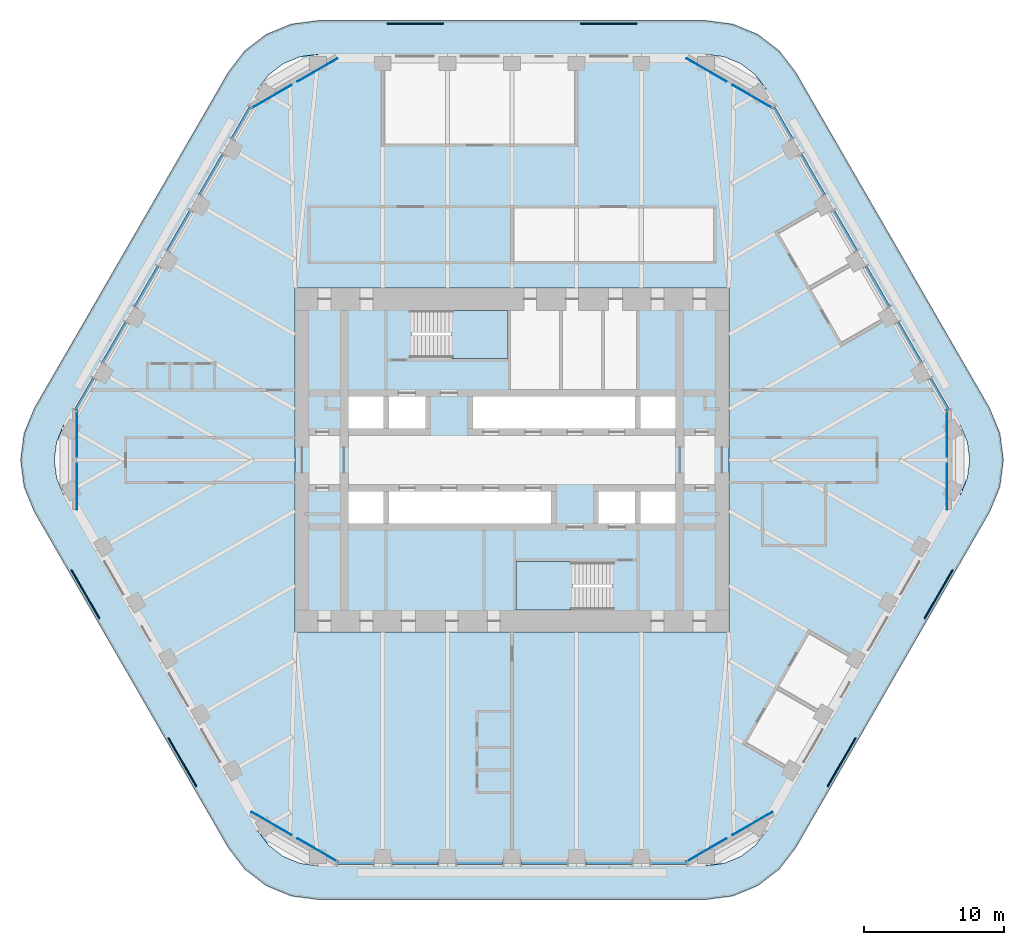
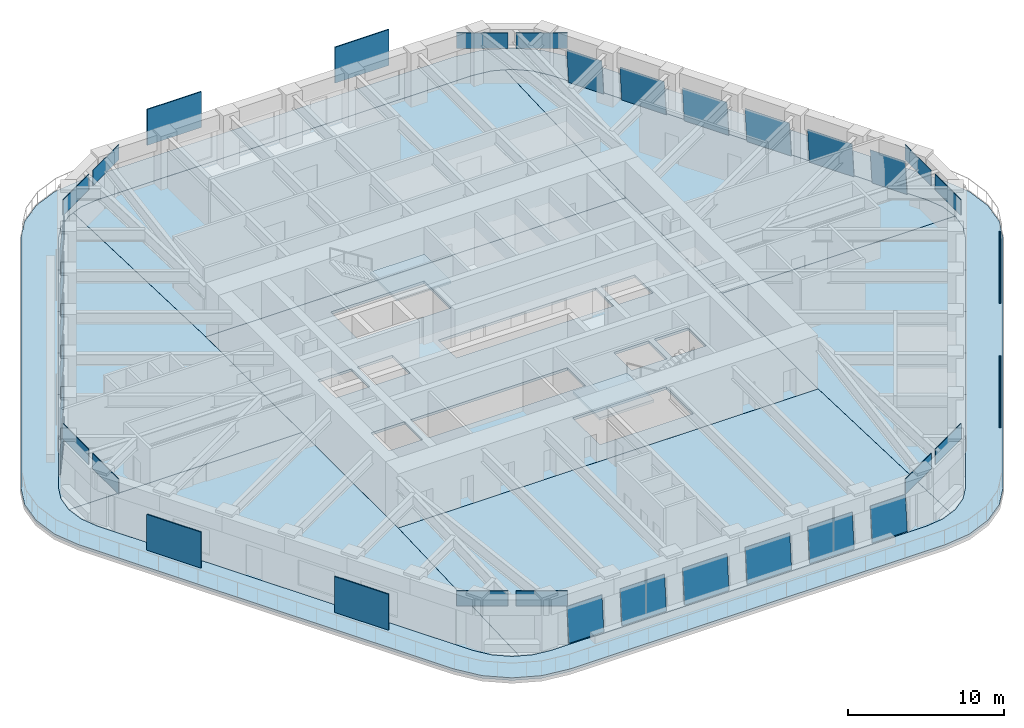
# One storey, part 13 of 20: 36 plates, 10 slabs, 20 elements without a shape of their own.
"""IFC4 building model written with IfcOpenShell, lengths in metres."""

import ifcopenshell
import ifcopenshell.guid

model = None  # the IFC model being written
_history = None  # IfcOwnerHistory: only IFC2X3 demands one
_inside = {}  # id of a spatial element -> (the spatial element, [elements in it])
_under = {}  # id of a project, library or spatial element -> (it, [spatial elements below it])
_declared = {}  # id of a project -> (the project, [libraries it declares])
_typed = {}  # id of a type object -> (the type object, [elements of that type])
_made_of = {}  # id of a material, layer set ... -> (it, [elements and type objects made of it])


def new_model(schema):
    """Start an empty IFC model of exactly this schema.

    Asked for "IFC4X3", IfcOpenShell would pick the latest addendum, in which some entities
    have other attributes; the version numbers below select the first issue.
    IFC2X3 requires an IfcOwnerHistory on every rooted entity: one is made here for all.
    """
    global model, _history
    if schema == "IFC4X3":
        model = ifcopenshell.file(schema_version=(4, 3, 0, 0))
    else:
        model = ifcopenshell.file(schema=schema)
    _inside.clear()
    _under.clear()
    _declared.clear()
    _typed.clear()
    _made_of.clear()
    _history = None
    if model.schema == "IFC2X3":
        org = make("IfcOrganization", Name="unknown")
        user = make(
            "IfcPersonAndOrganization",
            ThePerson=make("IfcPerson", FamilyName="unknown"),
            TheOrganization=org,
        )
        app = make(
            "IfcApplication",
            ApplicationDeveloper=org,
            Version="unknown",
            ApplicationFullName="unknown",
            ApplicationIdentifier="unknown",
        )
        _history = make(
            "IfcOwnerHistory",
            OwningUser=user,
            OwningApplication=app,
            ChangeAction="ADDED",
            CreationDate=0,
        )
    return model


def make(cls, **values):
    """One entity of the class cls with the attributes given. An attribute that is None is left unset."""
    return model.create_entity(
        cls, **{name: value for name, value in values.items() if value is not None}
    )


def rooted(cls, **values):
    """An entity with a GlobalId (a new one), such as an element, a storey or a relation."""
    return make(cls, GlobalId=ifcopenshell.guid.new(), OwnerHistory=_history, **values)


def si_unit(unit_type, name, prefix=None):
    """IfcSIUnit, for example si_unit("LENGTHUNIT", "METRE", prefix="MILLI")."""
    return make("IfcSIUnit", UnitType=unit_type, Prefix=prefix, Name=name)


def assignment(units):
    """IfcUnitAssignment: the units of a project."""
    return None if units is None else make("IfcUnitAssignment", Units=units)


def point(xyz):
    """IfcCartesianPoint."""
    return None if xyz is None else make("IfcCartesianPoint", Coordinates=xyz)


def direction(xyz):
    """IfcDirection."""
    return None if xyz is None else make("IfcDirection", DirectionRatios=xyz)


def frame(location, z_axis=None, x_axis=None):
    """IfcAxis2Placement3D, a coordinate frame: its origin and axes. An axis left out is left unset."""
    return make(
        "IfcAxis2Placement3D",
        Location=point(location),
        Axis=direction(z_axis),
        RefDirection=direction(x_axis),
    )


def frame_2d(location, x_axis=None):
    """IfcAxis2Placement2D, a coordinate frame in the plane: its origin and x axis."""
    return make(
        "IfcAxis2Placement2D", Location=point(location), RefDirection=direction(x_axis)
    )


def origin():
    """The frame at (0, 0, 0) with its axes left unset."""
    return frame((0.0, 0.0, 0.0))


def origin_2d():
    """The frame at (0, 0) in the plane with its x axis left unset."""
    return frame_2d((0.0, 0.0))


def place(relative_to, where):
    """IfcLocalPlacement: puts the frame where relative to a parent placement (None: the world)."""
    return make(
        "IfcLocalPlacement", PlacementRelTo=relative_to, RelativePlacement=where
    )


def context(
    kind, dimensions, precision=None, world=None, true_north=None, identifier=None
):
    """IfcGeometricRepresentationContext, for example the 3D "Model" context."""
    return make(
        "IfcGeometricRepresentationContext",
        ContextIdentifier=identifier,
        ContextType=kind,
        CoordinateSpaceDimension=dimensions,
        Precision=precision,
        WorldCoordinateSystem=world,
        TrueNorth=true_north,
    )


def subcontext(parent, identifier, kind, view, scale=None):
    """IfcGeometricRepresentationSubContext, for example "Body" below "Model"."""
    return make(
        "IfcGeometricRepresentationSubContext",
        ContextIdentifier=identifier,
        ContextType=kind,
        ParentContext=parent,
        TargetScale=scale,
        TargetView=view,
    )


def project(units=None, contexts=None):
    """IfcProject with its units and contexts."""
    return rooted(
        "IfcProject",
        Name="project",
        RepresentationContexts=contexts,
        UnitsInContext=assignment(units),
    )


def spatial(cls, under=None, at=None, **own):
    """A site, building, storey or space (cls), placed at a placement, below another one or the project."""
    s = rooted(cls, ObjectPlacement=at, **own)
    if under is not None:
        _under.setdefault(under.id(), (under, []))[1].append(s)
    return s


def polyline(points):
    """IfcPolyline through the points."""
    return make("IfcPolyline", Points=[point(p) for p in points])


def profile(cls, at=None, kind="AREA", **sizes):
    """A parametric profile (cls). Its sizes go by their IFC names, for example OverallWidth=200.0."""
    return make(cls, ProfileType=kind, Position=at, **sizes)


def rectangle(**sizes):
    """IfcRectangleProfileDef."""
    return profile("IfcRectangleProfileDef", **sizes)


def outline(outer, holes=None, kind="AREA"):
    """IfcArbitraryClosedProfileDef: a profile drawn as a closed curve; with holes, ...WithVoids."""
    if holes is None:
        return make("IfcArbitraryClosedProfileDef", ProfileType=kind, OuterCurve=outer)
    return make(
        "IfcArbitraryProfileDefWithVoids",
        ProfileType=kind,
        OuterCurve=outer,
        InnerCurves=holes,
    )


def extrude(swept, where, along, depth):
    """IfcExtrudedAreaSolid: the profile swept, set in the frame where, extruded along a direction by depth."""
    return make(
        "IfcExtrudedAreaSolid",
        SweptArea=swept,
        Position=where,
        ExtrudedDirection=direction(along),
        Depth=depth,
    )


def shape(context_of_items, identifier, shape_type, items):
    """IfcShapeRepresentation: the items that make up one representation, for example the "Body"."""
    return make(
        "IfcShapeRepresentation",
        ContextOfItems=context_of_items,
        RepresentationIdentifier=identifier,
        RepresentationType=shape_type,
        Items=items,
    )


def material(Name=None, Category=None):
    """IfcMaterial."""
    return make("IfcMaterial", Name=Name, Category=Category)


def layer(
    of_material, thickness, ventilated=None, Name=None, Category=None, Priority=None
):
    """IfcMaterialLayer: one layer of a wall or slab, of a material (None: an air gap)."""
    return make(
        "IfcMaterialLayer",
        Material=of_material,
        LayerThickness=thickness,
        IsVentilated=ventilated,
        Name=Name,
        Category=Category,
        Priority=Priority,
    )


def layer_set(layers, Name=None):
    """IfcMaterialLayerSet."""
    return make("IfcMaterialLayerSet", MaterialLayers=layers, LayerSetName=Name)


def made_of(thing, what):
    """Note that an element or type object is made of a material, layer set ...; save() writes the relation."""
    if what is not None:
        _made_of.setdefault(what.id(), (what, []))[1].append(thing)
    return thing


def type_object(cls, material=None, **own):
    """A type object (cls), such as IfcWallType, which elements share."""
    return made_of(rooted(cls, **own), material)


def element(
    cls,
    number,
    at=None,
    inside=None,
    cuts=None,
    type_object=None,
    material=None,
    context=None,
    identifier="Body",
    shape_type=None,
    held_by="IfcProductDefinitionShape",
    body=None,
    shapes=None,
    **own,
):
    """One element of the class cls, such as IfcWall. Its Tag is "e" and its number.

    at: its placement. inside: the storey or other place that contains it. cuts: it is an
    opening in that element (IfcRelVoidsElement). A single representation is given by context,
    identifier, shape_type and body (its items); several are given by shapes. held_by: the class
    of the entity that holds the representations. save() writes the other relations.
    """
    e = rooted(cls, Tag="e%d" % number, ObjectPlacement=at, **own)
    if body is not None:
        shapes = [shape(context, identifier, shape_type, body)]
    if shapes is not None:
        e.Representation = make(held_by, Representations=shapes)
    if inside is not None:
        _inside.setdefault(inside.id(), (inside, []))[1].append(e)
    if cuts is not None:
        rooted(
            "IfcRelVoidsElement", RelatingBuildingElement=cuts, RelatedOpeningElement=e
        )
    if type_object is not None:
        _typed.setdefault(type_object.id(), (type_object, []))[1].append(e)
    return made_of(e, material)


def aggregate(whole, parts):
    """IfcRelAggregates: a whole, such as a stair, and the parts it consists of."""
    return rooted("IfcRelAggregates", RelatingObject=whole, RelatedObjects=parts)


def save(model, path):
    """Write the relations noted so far, then the file.

    IfcRelAggregates (storeys below a building ...), IfcRelContainedInSpatialStructure (elements
    in a storey), IfcRelDefinesByType, IfcRelAssociatesMaterial and IfcRelDeclares: one each for
    every whole, place, type object, material and project.
    """
    for whole, parts in _under.values():
        aggregate(whole, parts)
    for where, things in _inside.values():
        rooted(
            "IfcRelContainedInSpatialStructure",
            RelatedElements=things,
            RelatingStructure=where,
        )
    for kind, things in _typed.values():
        rooted("IfcRelDefinesByType", RelatedObjects=things, RelatingType=kind)
    for what, things in _made_of.values():
        rooted("IfcRelAssociatesMaterial", RelatedObjects=things, RelatingMaterial=what)
    for by, libraries in _declared.values():
        rooted("IfcRelDeclares", RelatingContext=by, RelatedDefinitions=libraries)
    model.write(path)


model = new_model("IFC4")

# Units and contexts
model_context = context("Model", 3, precision=1e-05, world=origin(), true_north=direction((0.0, 1.0)))
body_context = subcontext(model_context, "Body", "Model", "MODEL_VIEW")
ifc_project = project(units=[si_unit("LENGTHUNIT", "METRE"), si_unit("AREAUNIT", "SQUARE_METRE"), si_unit("VOLUMEUNIT", "CUBIC_METRE"), si_unit("PLANEANGLEUNIT", "RADIAN"), si_unit("MASSUNIT", "GRAM", prefix="KILO")], contexts=[model_context])

# Site, building, storey
site_placement = place(None, origin())
site = spatial("IfcSite", under=ifc_project, at=site_placement, CompositionType="ELEMENT")
building_placement = place(site_placement, origin())
building = spatial("IfcBuilding", under=site, at=building_placement, Name="Tarfa Lantern Tower", CompositionType="ELEMENT")
storey_placement = place(building_placement, frame((0.0, 0.0, 270.10009765625)))
storey = spatial("IfcBuildingStorey", under=building, at=storey_placement, Name="L61", CompositionType="ELEMENT", Elevation=270.10009765625)

# Slab
ifc_material_1 = material(Name="Concrete C40/50", Category="concrete")
ifc_layer_1 = layer(ifc_material_1, 0.199951171875)
ifc_layer_set_1 = layer_set([ifc_layer_1], Name="BS2 BALCONY SLAB 200")
slab_type_1 = type_object("IfcSlabType", Name="BS2 BALCONY SLAB 200", PredefinedType="FLOOR", material=ifc_layer_set_1)
slab_1_placement = place(storey_placement, frame((0.0, 0.0, -0.2001953125)))
element("IfcSlab", 1, at=slab_1_placement, inside=storey, type_object=slab_type_1, Name="Balcony L61", PredefinedType="FLOOR", context=body_context, shape_type="SweptSolid", body=[
    extrude(outline(polyline([(34.121337890625, 3.699951171875), (20.264892578125, 27.699951171875), (19.089111328125, 29.232666015625), (17.556396484375, 30.40869140625), (15.771728515625, 31.14794921875), (13.8564453125, 31.39990234375), (-13.8564453125, 31.39990234375), (-15.771728515625, 31.14794921875), (-17.556396484375, 30.40869140625), (-19.089111328125, 29.232666015625), (-20.264892578125, 27.699951171875), (-34.121337890625, 3.699951171875), (-34.860595703125, 1.915283203125), (-35.11279296875, 0.0), (-34.860595703125, -1.915283203125), (-34.121337890625, -3.699951171875), (-20.264892578125, -27.699951171875), (-19.089111328125, -29.232666015625), (-17.556396484375, -30.40869140625), (-15.771728515625, -31.14794921875), (-13.8564453125, -31.39990234375), (13.8564453125, -31.39990234375), (15.771728515625, -31.14794921875), (17.556396484375, -30.40869140625), (19.089111328125, -29.232666015625), (20.264892578125, -27.699951171875), (34.121337890625, -3.699951171875), (34.860595703125, -1.915283203125), (35.11279296875, 0.0), (34.860595703125, 1.915283203125), (34.121337890625, 3.699951171875)]), holes=[polyline([(32.04296875, 2.5), (18.1865234375, 26.5), (17.391845703125, 27.53564453125), (16.3564453125, 28.330078125), (15.150390625, 28.82958984375), (13.8564453125, 29.0), (-13.8564453125, 29.0), (-15.150390625, 28.82958984375), (-16.3564453125, 28.330078125), (-17.391845703125, 27.53564453125), (-18.1865234375, 26.5), (-32.04296875, 2.5), (-32.54248046875, 1.294189453125), (-32.712890625, 0.0), (-32.54248046875, -1.294189453125), (-32.04296875, -2.5), (-18.1865234375, -26.5), (-17.391845703125, -27.53564453125), (-16.3564453125, -28.330078125), (-15.150390625, -28.82958984375), (-13.8564453125, -29.0), (13.8564453125, -29.0), (15.150390625, -28.82958984375), (16.3564453125, -28.330078125), (17.391845703125, -27.53564453125), (18.1865234375, -26.5), (32.04296875, -2.5), (32.54248046875, -1.294189453125), (32.712890625, 0.0), (32.54248046875, 1.294189453125), (32.04296875, 2.5)])]), origin(), (0.0, 0.0, 1.0), 0.2001953125),
])

# Curtain wall, plate
ifc_material_2 = material(Name="Aluminium framed curtain wall", Category="aluminium")
curtain_wall_type = type_object("IfcCurtainWallType", Name="CW3 CANTED GLAZING HIGH ZONE 2800", PredefinedType="USERDEFINED", material=ifc_material_2)
curtain_wall_1_placement = place(storey_placement, origin())
curtain_wall_1 = element("IfcCurtainWall", 2, at=curtain_wall_1_placement, inside=storey, type_object=curtain_wall_type, Name="CW3 NE L61", ObjectType="CURTAIN WALL", PredefinedType="USERDEFINED")
ifc_material_3 = material(Name="Laminated double glazing", Category="glass")
ifc_layer_2 = layer(ifc_material_3, 0.028076171875)
ifc_layer_set_2 = layer_set([ifc_layer_2], Name="CWP1 DOUBLE GLAZED PANEL")
plate_type_1 = type_object("IfcPlateType", Name="CWP1 DOUBLE GLAZED PANEL", PredefinedType="CURTAIN_PANEL", material=ifc_layer_set_2)
plate_1_placement = place(storey_placement, frame((31.27392578125, 3.632080078125, 0.0), z_axis=(0.86260487844, 0.497996271703, 0.088952442691), x_axis=(-0.499978528147, 0.866037800202, 3.618111e-06)))
plate_1 = element("IfcPlate", 3, at=plate_1_placement, type_object=plate_type_1, Name="CW3 panel 1.1", PredefinedType="CURTAIN_PANEL", context=body_context, shape_type="SweptSolid", body=[
    extrude(outline(polyline([(0.0, 0.0), (2.5887966981179575, 2.7755575615628914e-17), (2.5887974391712807, 2.7457383666715636), (0.00012280612367131612, 2.745757173892263), (0.0, 0.0)])), origin(), (0.0, 0.0, -1.0), 0.028076171875),
])
aggregate(curtain_wall_1, [plate_1])

curtain_wall_2_placement = place(storey_placement, origin())
curtain_wall_2 = element("IfcCurtainWall", 4, at=curtain_wall_2_placement, inside=storey, type_object=curtain_wall_type, Name="CW3 NE L61", ObjectType="CURTAIN WALL", PredefinedType="USERDEFINED")
plate_2_placement = place(storey_placement, frame((29.314453125, 7.02587890625, 0.0), z_axis=(0.862575096362, 0.498054675904, 0.088914244903), x_axis=(-0.500035172766, 0.866005095826, 0.0)))
plate_2 = element("IfcPlate", 5, at=plate_2_placement, type_object=plate_type_1, Name="CW3 panel 1.1", PredefinedType="CURTAIN_PANEL", context=body_context, shape_type="SweptSolid", body=[
    extrude(outline(polyline([(0.0, 0.0), (3.2888311454247456, 0.0), (3.288837959805127, 2.745738368682294), (6.8143803815395865e-06, 2.745738368682294), (0.0, 0.0)])), origin(), (0.0, 0.0, -1.0), 0.028076171875),
])
aggregate(curtain_wall_2, [plate_2])

curtain_wall_3_placement = place(storey_placement, origin())
curtain_wall_3 = element("IfcCurtainWall", 6, at=curtain_wall_3_placement, inside=storey, type_object=curtain_wall_type, Name="CW3 NE L61", ObjectType="CURTAIN WALL", PredefinedType="USERDEFINED")
plate_3_placement = place(storey_placement, frame((27.005126953125, 11.02587890625, 0.0), z_axis=(0.862588151703, 0.498025243939, 0.088952442012), x_axis=(-0.500007556088, 0.866021041226, 2.847933e-06)))
plate_3 = element("IfcPlate", 7, at=plate_3_placement, type_object=plate_type_1, Name="CW3 panel 1.1", PredefinedType="CURTAIN_PANEL", context=body_context, shape_type="SweptSolid", body=[
    extrude(outline(polyline([(0.0, 0.0), (3.288831143739142, 2.7755575615628914e-17), (3.288837961490735, 2.7457383666632778), (0.0001288899088408909, 2.7457571736135), (0.0, 0.0)])), origin(), (0.0, 0.0, -1.0), 0.028076171875),
])
aggregate(curtain_wall_3, [plate_3])

curtain_wall_4_placement = place(storey_placement, origin())
curtain_wall_4 = element("IfcCurtainWall", 8, at=curtain_wall_4_placement, inside=storey, type_object=curtain_wall_type, Name="CW3 NE L61", ObjectType="CURTAIN WALL", PredefinedType="USERDEFINED")
plate_4_placement = place(storey_placement, frame((24.695556640625, 15.02587890625, 0.0), z_axis=(0.862607113898, 0.497999220993, 0.088914244879), x_axis=(-0.499979497339, 0.866037240677, 0.0)))
plate_4 = element("IfcPlate", 9, at=plate_4_placement, type_object=plate_type_1, Name="CW3 panel 1.1", PredefinedType="CURTAIN_PANEL", context=body_context, shape_type="SweptSolid", body=[
    extrude(outline(polyline([(0.0, 0.0), (3.2887090733213356, 0.0), (3.2887001925491877, 2.745738368676388), (-8.880772147612515e-06, 2.745738368676388), (0.0, 0.0)])), origin(), (0.0, 0.0, -1.0), 0.028076171875),
])
aggregate(curtain_wall_4, [plate_4])

curtain_wall_5_placement = place(storey_placement, origin())
curtain_wall_5 = element("IfcCurtainWall", 10, at=curtain_wall_5_placement, inside=storey, type_object=curtain_wall_type, Name="CW3 NE L61", ObjectType="CURTAIN WALL", PredefinedType="USERDEFINED")
plate_5_placement = place(storey_placement, frame((22.38623046875, 19.02587890625, 0.0), z_axis=(0.862588151703, 0.498025243939, 0.088952442012), x_axis=(-0.500007115555, 0.866021295573, -2.848039e-06)))
plate_5 = element("IfcPlate", 11, at=plate_5_placement, type_object=plate_type_1, Name="CW3 panel 1.1", PredefinedType="CURTAIN_PANEL", context=body_context, shape_type="SweptSolid", body=[
    extrude(outline(polyline([(0.0, 0.0), (3.288709071635669, 2.7755575615628914e-17), (3.2888222595418797, 2.7457571743056772), (-8.884143485021619e-06, 2.7457383666573687), (0.0, 0.0)])), origin(), (0.0, 0.0, -1.0), 0.028076171875),
])
aggregate(curtain_wall_5, [plate_5])

curtain_wall_6_placement = place(storey_placement, origin())
curtain_wall_6 = element("IfcCurtainWall", 12, at=curtain_wall_6_placement, inside=storey, type_object=curtain_wall_type, Name="CW3 NE L61", ObjectType="CURTAIN WALL", PredefinedType="USERDEFINED")
plate_6_placement = place(storey_placement, frame((20.076904296875, 23.02587890625, 0.0), z_axis=(0.86260487844, 0.497996271703, 0.088952442691), x_axis=(-0.499978528147, 0.866037800202, 3.618111e-06)))
plate_6 = element("IfcPlate", 13, at=plate_6_placement, type_object=plate_type_1, Name="CW3 panel 1.1", PredefinedType="CURTAIN_PANEL", context=body_context, shape_type="SweptSolid", body=[
    extrude(outline(polyline([(0.0, 0.0), (2.5887966981179575, 2.7755575615628914e-17), (2.5887974391712807, 2.7457383666715636), (0.00012280612367131612, 2.745757173892263), (0.0, 0.0)])), origin(), (0.0, 0.0, -1.0), 0.028076171875),
])
aggregate(curtain_wall_6, [plate_6])

curtain_wall_7_placement = place(storey_placement, origin())
curtain_wall_7 = element("IfcCurtainWall", 14, at=curtain_wall_7_placement, inside=storey, type_object=curtain_wall_type, Name="CW3 NW L61", ObjectType="CURTAIN WALL", PredefinedType="USERDEFINED")
plate_7_placement = place(storey_placement, frame((-18.782470703125, 25.267822265625, 0.0), z_axis=(-0.86260487844, 0.497996271703, 0.088952442691), x_axis=(-0.499978528147, -0.866037800202, -3.618111e-06)))
plate_7 = element("IfcPlate", 15, at=plate_7_placement, type_object=plate_type_1, Name="CW3 panel 1.1", PredefinedType="CURTAIN_PANEL", context=body_context, shape_type="SweptSolid", body=[
    extrude(outline(polyline([(0.0, 0.0), (2.5887966981179575, -2.7755575615628914e-17), (2.5886738919942855, 2.745757173892263), (-7.410533230149592e-07, 2.7457383666715636), (0.0, 0.0)])), origin(), (0.0, 0.0, -1.0), 0.028076171875),
])
aggregate(curtain_wall_7, [plate_7])

curtain_wall_8_placement = place(storey_placement, origin())
curtain_wall_8 = element("IfcCurtainWall", 16, at=curtain_wall_8_placement, inside=storey, type_object=curtain_wall_type, Name="CW3 NW L61", ObjectType="CURTAIN WALL", PredefinedType="USERDEFINED")
plate_8_placement = place(storey_placement, frame((-20.741943359375, 21.8740234375, 0.0), z_axis=(-0.862588151703, 0.498025243939, 0.088952442012), x_axis=(-0.500007115555, -0.866021295573, 2.848039e-06)))
plate_8 = element("IfcPlate", 17, at=plate_8_placement, type_object=plate_type_1, Name="CW3 panel 1.1", PredefinedType="CURTAIN_PANEL", context=body_context, shape_type="SweptSolid", body=[
    extrude(outline(polyline([(0.0, 0.0), (3.288709071635669, -2.7755575615628914e-17), (3.288717955779154, 2.7457383666573687), (-0.00011318790621090715, 2.7457571743056772), (0.0, 0.0)])), origin(), (0.0, 0.0, -1.0), 0.028076171875),
])
aggregate(curtain_wall_8, [plate_8])

curtain_wall_9_placement = place(storey_placement, origin())
curtain_wall_9 = element("IfcCurtainWall", 18, at=curtain_wall_9_placement, inside=storey, type_object=curtain_wall_type, Name="CW3 NW L61", ObjectType="CURTAIN WALL", PredefinedType="USERDEFINED")
plate_9_placement = place(storey_placement, frame((-23.05126953125, 17.8740234375, 0.0), z_axis=(-0.862607113898, 0.497999220993, 0.088914244879), x_axis=(-0.499979497339, -0.866037240677, 0.0)))
plate_9 = element("IfcPlate", 19, at=plate_9_placement, type_object=plate_type_1, Name="CW3 panel 1.1", PredefinedType="CURTAIN_PANEL", context=body_context, shape_type="SweptSolid", body=[
    extrude(outline(polyline([(0.0, 0.0), (3.2887090733213356, 0.0), (3.288717954093483, 2.745738368676388), (8.880772147612515e-06, 2.745738368676388), (0.0, 0.0)])), origin(), (0.0, 0.0, -1.0), 0.028076171875),
])
aggregate(curtain_wall_9, [plate_9])

curtain_wall_10_placement = place(storey_placement, origin())
curtain_wall_10 = element("IfcCurtainWall", 20, at=curtain_wall_10_placement, inside=storey, type_object=curtain_wall_type, Name="CW3 NW L61", ObjectType="CURTAIN WALL", PredefinedType="USERDEFINED")
plate_10_placement = place(storey_placement, frame((-25.360595703125, 13.8740234375, 0.0), z_axis=(-0.862588151703, 0.498025243939, 0.088952442012), x_axis=(-0.500007556088, -0.866021041226, -2.847933e-06)))
plate_10 = element("IfcPlate", 21, at=plate_10_placement, type_object=plate_type_1, Name="CW3 panel 1.1", PredefinedType="CURTAIN_PANEL", context=body_context, shape_type="SweptSolid", body=[
    extrude(outline(polyline([(0.0, 0.0), (3.288831143739142, -2.7755575615628914e-17), (3.2887022538303006, 2.7457571736135), (-6.817751592744995e-06, 2.7457383666632778), (0.0, 0.0)])), origin(), (0.0, 0.0, -1.0), 0.028076171875),
])
aggregate(curtain_wall_10, [plate_10])

curtain_wall_11_placement = place(storey_placement, origin())
curtain_wall_11 = element("IfcCurtainWall", 22, at=curtain_wall_11_placement, inside=storey, type_object=curtain_wall_type, Name="CW3 NW L61", ObjectType="CURTAIN WALL", PredefinedType="USERDEFINED")
plate_11_placement = place(storey_placement, frame((-27.669921875, 9.8740234375, 0.0), z_axis=(-0.862575096362, 0.498054675904, 0.088914244903), x_axis=(-0.500035172766, -0.866005095826, 0.0)))
plate_11 = element("IfcPlate", 23, at=plate_11_placement, type_object=plate_type_1, Name="CW3 panel 1.1", PredefinedType="CURTAIN_PANEL", context=body_context, shape_type="SweptSolid", body=[
    extrude(outline(polyline([(0.0, 0.0), (3.2888311454247456, 0.0), (3.2888243310443643, 2.745738368682294), (-6.8143803815395865e-06, 2.745738368682294), (0.0, 0.0)])), origin(), (0.0, 0.0, -1.0), 0.028076171875),
])
aggregate(curtain_wall_11, [plate_11])

curtain_wall_12_placement = place(storey_placement, origin())
curtain_wall_12 = element("IfcCurtainWall", 24, at=curtain_wall_12_placement, inside=storey, type_object=curtain_wall_type, Name="CW3 NW L61", ObjectType="CURTAIN WALL", PredefinedType="USERDEFINED")
plate_12_placement = place(storey_placement, frame((-29.9794921875, 5.8740234375, 0.0), z_axis=(-0.86260487844, 0.497996271703, 0.088952442691), x_axis=(-0.499978528147, -0.866037800202, -3.618111e-06)))
plate_12 = element("IfcPlate", 25, at=plate_12_placement, type_object=plate_type_1, Name="CW3 panel 1.1", PredefinedType="CURTAIN_PANEL", context=body_context, shape_type="SweptSolid", body=[
    extrude(outline(polyline([(0.0, 0.0), (2.5887966981179575, -2.7755575615628914e-17), (2.5886738919942855, 2.745757173892263), (-7.410533230149592e-07, 2.7457383666715636), (0.0, 0.0)])), origin(), (0.0, 0.0, -1.0), 0.028076171875),
])
aggregate(curtain_wall_12, [plate_12])

curtain_wall_13_placement = place(storey_placement, origin())
curtain_wall_13 = element("IfcCurtainWall", 26, at=curtain_wall_13_placement, inside=storey, type_object=curtain_wall_type, Name="CW3 S L61", ObjectType="CURTAIN WALL", PredefinedType="USERDEFINED")
plate_13_placement = place(storey_placement, frame((-12.491455078125, -28.89990234375, 0.0), z_axis=(0.0, -0.996039111646, 0.08891618565), x_axis=(1.0, 0.0, 0.0)))
plate_13 = element("IfcPlate", 27, at=plate_13_placement, type_object=plate_type_1, Name="CW3 panel 1.1", PredefinedType="CURTAIN_PANEL", context=body_context, shape_type="SweptSolid", body=[
    extrude(outline(polyline([(0.0, 0.0), (2.5888671875, 0.0), (2.5888671875, 2.74573884626796), (0.0, 2.74573884626796), (0.0, 0.0)])), origin(), (0.0, 0.0, -1.0), 0.028076171875),
])
aggregate(curtain_wall_13, [plate_13])

curtain_wall_14_placement = place(storey_placement, origin())
curtain_wall_14 = element("IfcCurtainWall", 28, at=curtain_wall_14_placement, inside=storey, type_object=curtain_wall_type, Name="CW3 S L61", ObjectType="CURTAIN WALL", PredefinedType="USERDEFINED")
plate_14_placement = place(storey_placement, frame((-8.572509765625, -28.89990234375, 0.0), z_axis=(0.0, -0.996039111646, 0.08891618565), x_axis=(1.0, 0.0, 0.0)))
plate_14 = element("IfcPlate", 29, at=plate_14_placement, type_object=plate_type_1, Name="CW3 panel 1.1", PredefinedType="CURTAIN_PANEL", context=body_context, shape_type="SweptSolid", body=[
    extrude(outline(polyline([(0.0, 0.0), (3.288818359375, 0.0), (3.288818359375, 2.7457388462679595), (0.0, 2.7457388462679595), (0.0, 0.0)])), origin(), (0.0, 0.0, -1.0), 0.028076171875),
])
aggregate(curtain_wall_14, [plate_14])

curtain_wall_15_placement = place(storey_placement, origin())
curtain_wall_15 = element("IfcCurtainWall", 30, at=curtain_wall_15_placement, inside=storey, type_object=curtain_wall_type, Name="CW3 S L61", ObjectType="CURTAIN WALL", PredefinedType="USERDEFINED")
plate_15_placement = place(storey_placement, frame((-3.953857421875, -28.89990234375, 0.0), z_axis=(0.0, -0.996039111646, 0.08891618565), x_axis=(1.0, 0.0, 0.0)))
plate_15 = element("IfcPlate", 31, at=plate_15_placement, type_object=plate_type_1, Name="CW3 panel 1.1", PredefinedType="CURTAIN_PANEL", context=body_context, shape_type="SweptSolid", body=[
    extrude(outline(polyline([(0.0, 0.0), (3.288818359375, 0.0), (3.288818359375, 2.7457388462679595), (0.0, 2.7457388462679595), (0.0, 0.0)])), origin(), (0.0, 0.0, -1.0), 0.028076171875),
])
aggregate(curtain_wall_15, [plate_15])

curtain_wall_16_placement = place(storey_placement, origin())
curtain_wall_16 = element("IfcCurtainWall", 32, at=curtain_wall_16_placement, inside=storey, type_object=curtain_wall_type, Name="CW3 S L61", ObjectType="CURTAIN WALL", PredefinedType="USERDEFINED")
plate_16_placement = place(storey_placement, frame((0.6650390625, -28.89990234375, 0.0), z_axis=(0.0, -0.996039111646, 0.08891618565), x_axis=(1.0, 0.0, 0.0)))
plate_16 = element("IfcPlate", 33, at=plate_16_placement, type_object=plate_type_1, Name="CW3 panel 1.1", PredefinedType="CURTAIN_PANEL", context=body_context, shape_type="SweptSolid", body=[
    extrude(outline(polyline([(0.0, 0.0), (3.288818359375, 0.0), (3.288818359375, 2.7457388462679595), (0.0, 2.7457388462679595), (0.0, 0.0)])), origin(), (0.0, 0.0, -1.0), 0.028076171875),
])
aggregate(curtain_wall_16, [plate_16])

curtain_wall_17_placement = place(storey_placement, origin())
curtain_wall_17 = element("IfcCurtainWall", 34, at=curtain_wall_17_placement, inside=storey, type_object=curtain_wall_type, Name="CW3 S L61", ObjectType="CURTAIN WALL", PredefinedType="USERDEFINED")
plate_17_placement = place(storey_placement, frame((5.28369140625, -28.89990234375, 0.0), z_axis=(0.0, -0.996039111646, 0.08891618565), x_axis=(1.0, 0.0, 0.0)))
plate_17 = element("IfcPlate", 35, at=plate_17_placement, type_object=plate_type_1, Name="CW3 panel 1.1", PredefinedType="CURTAIN_PANEL", context=body_context, shape_type="SweptSolid", body=[
    extrude(outline(polyline([(0.0, 0.0), (3.288818359375, 0.0), (3.288818359375, 2.7457388462679595), (0.0, 2.7457388462679595), (0.0, 0.0)])), origin(), (0.0, 0.0, -1.0), 0.028076171875),
])
aggregate(curtain_wall_17, [plate_17])

curtain_wall_18_placement = place(storey_placement, origin())
curtain_wall_18 = element("IfcCurtainWall", 36, at=curtain_wall_18_placement, inside=storey, type_object=curtain_wall_type, Name="CW3 S L61", ObjectType="CURTAIN WALL", PredefinedType="USERDEFINED")
plate_18_placement = place(storey_placement, frame((9.902587890625, -28.89990234375, 0.0), z_axis=(0.0, -0.996039111646, 0.08891618565), x_axis=(1.0, 0.0, 0.0)))
plate_18 = element("IfcPlate", 37, at=plate_18_placement, type_object=plate_type_1, Name="CW3 panel 1.1", PredefinedType="CURTAIN_PANEL", context=body_context, shape_type="SweptSolid", body=[
    extrude(outline(polyline([(0.0, 0.0), (2.5888671875, 0.0), (2.5888671875, 2.74573884626796), (0.0, 2.74573884626796), (0.0, 0.0)])), origin(), (0.0, 0.0, -1.0), 0.028076171875),
])
aggregate(curtain_wall_18, [plate_18])

# Slabs
ifc_layer_3 = layer(ifc_material_1, 0.199951171875)
ifc_layer_set_3 = layer_set([ifc_layer_3], Name="FS1 FLOOR SLAB 200")
slab_type_2 = type_object("IfcSlabType", Name="FS1 FLOOR SLAB 200", PredefinedType="FLOOR", material=ifc_layer_set_3)
slab_2_placement = place(storey_placement, frame((0.0, 0.0, -0.2001953125)))
element("IfcSlab", 38, at=slab_2_placement, inside=storey, type_object=slab_type_2, Name="Floor slab L61", PredefinedType="FLOOR", context=body_context, shape_type="SweptSolid", body=[
    extrude(outline(polyline([(-15.5, -12.300048828125), (15.5, -12.300048828125), (15.5, 12.300048828125), (-15.5, 12.300048828125), (-15.5, -12.300048828125)]), holes=[polyline([(-11.699951171875, 2.25), (-9.199951171875, 2.25), (-9.199951171875, 4.550048828125), (-11.699951171875, 4.550048828125), (-11.699951171875, 2.25)]), polyline([(-8.800048828125, 2.25), (-6.199951171875, 2.25), (-6.199951171875, 4.550048828125), (-8.800048828125, 4.550048828125), (-8.800048828125, 2.25)]), polyline([(-2.800048828125, 2.25), (8.800048828125, 2.25), (8.800048828125, 4.550048828125), (-2.800048828125, 4.550048828125), (-2.800048828125, 2.25)]), polyline([(9.199951171875, 2.25), (11.699951171875, 2.25), (11.699951171875, 4.550048828125), (9.199951171875, 4.550048828125), (9.199951171875, 2.25)]), polyline([(11.699951171875, -2.25), (9.199951171875, -2.25), (9.199951171875, -4.550048828125), (11.699951171875, -4.550048828125), (11.699951171875, -2.25)]), polyline([(8.800048828125, -2.25), (6.199951171875, -2.25), (6.199951171875, -4.550048828125), (8.800048828125, -4.550048828125), (8.800048828125, -2.25)]), polyline([(2.800048828125, -2.25), (-8.800048828125, -2.25), (-8.800048828125, -4.550048828125), (2.800048828125, -4.550048828125), (2.800048828125, -2.25)]), polyline([(-9.199951171875, -2.25), (-11.699951171875, -2.25), (-11.699951171875, -4.550048828125), (-9.199951171875, -4.550048828125), (-9.199951171875, -2.25)]), polyline([(-7.199951171875, 7.25), (-0.300048828125, 7.25), (-0.300048828125, 10.699951171875), (-7.199951171875, 10.699951171875), (-7.199951171875, 7.25)]), polyline([(7.199951171875, -7.25), (0.300048828125, -7.25), (0.300048828125, -10.699951171875), (7.199951171875, -10.699951171875), (7.199951171875, -7.25)])]), origin(), (0.0, 0.0, 1.0), 0.2001953125),
])
slab_3_placement = place(storey_placement, frame((0.0, 0.0, -0.2001953125)))
element("IfcSlab", 39, at=slab_3_placement, inside=storey, type_object=slab_type_2, Name="Floor slab L61 NE bay", PredefinedType="FLOOR", context=body_context, shape_type="SweptSolid", body=[
    extrude(outline(polyline([(32.041259765625, 2.4990234375), (18.184814453125, 26.498779296875), (17.390625, 27.5341796875), (16.35546875, 28.328369140625), (15.927490234375, 28.505615234375), (15.501953125, 12.300048828125), (15.501953125, 0.001953125), (32.71044921875, 0.001953125), (32.54052734375, 1.29345703125), (32.041259765625, 2.4990234375)])), origin(), (0.0, 0.0, 1.0), 0.2001953125),
])
slab_4_placement = place(storey_placement, frame((0.0, 0.0, -0.2001953125)))
element("IfcSlab", 40, at=slab_4_placement, inside=storey, type_object=slab_type_2, Name="Floor slab L61 N bay", PredefinedType="FLOOR", context=body_context, shape_type="SweptSolid", body=[
    extrude(outline(polyline([(-15.498046875, 12.302001953125), (15.498046875, 12.302001953125), (15.923583984375, 28.50732421875), (15.14990234375, 28.82763671875), (13.856201171875, 28.998046875), (-13.856201171875, 28.998046875), (-15.14990234375, 28.82763671875), (-15.923583984375, 28.50732421875), (-15.498046875, 12.302001953125)])), origin(), (0.0, 0.0, 1.0), 0.2001953125),
])
slab_5_placement = place(storey_placement, frame((0.0, 0.0, -0.2001953125)))
element("IfcSlab", 41, at=slab_5_placement, inside=storey, type_object=slab_type_2, Name="Floor slab L61 NW bay", PredefinedType="FLOOR", context=body_context, shape_type="SweptSolid", body=[
    extrude(outline(polyline([(-15.501953125, 0.001953125), (-15.501953125, 12.300048828125), (-15.927490234375, 28.505615234375), (-16.35546875, 28.328369140625), (-17.390625, 27.5341796875), (-18.184814453125, 26.498779296875), (-32.041259765625, 2.4990234375), (-32.54052734375, 1.29345703125), (-32.71044921875, 0.001953125), (-15.501953125, 0.001953125)])), origin(), (0.0, 0.0, 1.0), 0.2001953125),
])
slab_6_placement = place(storey_placement, frame((0.0, 0.0, -0.2001953125)))
element("IfcSlab", 42, at=slab_6_placement, inside=storey, type_object=slab_type_2, Name="Floor slab L61 SW bay", PredefinedType="FLOOR", context=body_context, shape_type="SweptSolid", body=[
    extrude(outline(polyline([(-15.501953125, -12.300048828125), (-15.501953125, -0.001953125), (-32.71044921875, -0.001953125), (-32.54052734375, -1.29345703125), (-32.041259765625, -2.4990234375), (-18.184814453125, -26.498779296875), (-17.390625, -27.5341796875), (-16.35546875, -28.328369140625), (-15.927490234375, -28.505615234375), (-15.501953125, -12.300048828125)])), origin(), (0.0, 0.0, 1.0), 0.2001953125),
])
slab_7_placement = place(storey_placement, frame((0.0, 0.0, -0.2001953125)))
element("IfcSlab", 43, at=slab_7_placement, inside=storey, type_object=slab_type_2, Name="Floor slab L61 S bay", PredefinedType="FLOOR", context=body_context, shape_type="SweptSolid", body=[
    extrude(outline(polyline([(15.498046875, -12.302001953125), (-15.498046875, -12.302001953125), (-15.923583984375, -28.50732421875), (-15.14990234375, -28.82763671875), (-13.856201171875, -28.998046875), (13.856201171875, -28.998046875), (15.14990234375, -28.82763671875), (15.923583984375, -28.50732421875), (15.498046875, -12.302001953125)])), origin(), (0.0, 0.0, 1.0), 0.2001953125),
])
slab_8_placement = place(storey_placement, frame((0.0, 0.0, -0.2001953125)))
element("IfcSlab", 44, at=slab_8_placement, inside=storey, type_object=slab_type_2, Name="Floor slab L61 SE bay", PredefinedType="FLOOR", context=body_context, shape_type="SweptSolid", body=[
    extrude(outline(polyline([(15.501953125, -0.001953125), (15.501953125, -12.300048828125), (15.927490234375, -28.505615234375), (16.35546875, -28.328369140625), (17.390625, -27.5341796875), (18.184814453125, -26.498779296875), (32.041259765625, -2.4990234375), (32.54052734375, -1.29345703125), (32.71044921875, -0.001953125), (15.501953125, -0.001953125)])), origin(), (0.0, 0.0, 1.0), 0.2001953125),
])

# Plates
ifc_material_4 = material(Name="Aluminium fascia panel", Category="aluminium")
ifc_layer_4 = layer(ifc_material_4, 0.050048828125)
ifc_layer_set_4 = layer_set([ifc_layer_4], Name="LF1 LOGGIA HEAD FASCIA 50")
plate_type_2 = type_object("IfcPlateType", Name="LF1 LOGGIA HEAD FASCIA 50", PredefinedType="USERDEFINED", material=ifc_layer_set_4)
for number, where, z_axis, x_axis, name in (
    (45, (17.18994140625, 25.972900390625, 2.7998046875), (0.0, 0.0, 1.0), (-0.866025403784, 0.5, 0.0), "Garden head fascia NE-N"),
    (46, (13.898193359375, 27.873291015625, 2.7998046875), (0.0, 0.0, 1.0), (-0.866025403784, 0.5, 0.0), "Garden head fascia NE-N"),
    (47, (-13.898193359375, 27.873291015625, 2.7998046875), (0.0, 0.0, 1.0), (-0.866025403784, -0.5, 0.0), "Garden head fascia N-NW"),
    (48, (-17.18994140625, 25.972900390625, 2.7998046875), (0.0, 0.0, 1.0), (-0.866025403784, -0.5, 0.0), "Garden head fascia N-NW"),
    (49, (-31.088134765625, 1.900390625, 2.7998046875), (0.0, 0.0, 1.0), (0.0, -1.0, 0.0), "Garden head fascia NW-SW"),
    (50, (-31.088134765625, -1.900390625, 2.7998046875), (0.0, 0.0, 1.0), (0.0, -1.0, 0.0), "Garden head fascia NW-SW"),
    (51, (-17.18994140625, -25.972900390625, 2.7998046875), (0.0, 0.0, 1.0), (0.866025403784, -0.5, 0.0), "Garden head fascia SW-S"),
    (52, (-13.898193359375, -27.873291015625, 2.7998046875), (0.0, 0.0, 1.0), (0.866025403784, -0.5, 0.0), "Garden head fascia SW-S"),
    (53, (13.898193359375, -27.873291015625, 2.7998046875), (0.0, 0.0, 1.0), (0.866025403784, 0.5, 0.0), "Garden head fascia S-SE"),
    (54, (17.18994140625, -25.972900390625, 2.7998046875), (0.0, 0.0, 1.0), (0.866025403784, 0.5, 0.0), "Garden head fascia S-SE"),
    (55, (31.088134765625, -1.900390625, 2.7998046875), (0.0, 0.0, 1.0), (0.0, 1.0, 0.0), "Garden head fascia SE-NE"),
    (56, (31.088134765625, 1.900390625, 2.7998046875), (0.0, 0.0, 1.0), (0.0, 1.0, 0.0), "Garden head fascia SE-NE"),
):
    element("IfcPlate", number, at=place(storey_placement, frame(where, z_axis=z_axis, x_axis=x_axis)), inside=storey, type_object=plate_type_2, Name=name, ObjectType="FASCIA", PredefinedType="USERDEFINED", context=body_context, shape_type="SweptSolid", body=[
        extrude(rectangle(XDim=3.30078125, YDim=0.050048828125, at=origin_2d()), origin(), (0.0, 0.0, 1.0), 1.199951171875),
    ])
ifc_material_5 = material(Name="Perforated limestone screen", Category="masonry")
ifc_layer_5 = layer(ifc_material_5, 0.080078125)
ifc_layer_set_5 = layer_set([ifc_layer_5], Name="SC1 STONE SCREEN 80")
plate_type_3 = type_object("IfcPlateType", Name="SC1 STONE SCREEN 80", PredefinedType="USERDEFINED", material=ifc_layer_set_5)
for number, where, z_axis, x_axis, name in (
    (57, (6.92822265625, 31.199951171875, 1.19970703125), (0.0, 0.0, 1.0), (-1.0, 0.0, 0.0), "Stone screen N 1"),
    (58, (-6.92822265625, 31.199951171875, 1.19970703125), (0.0, 0.0, 1.0), (-1.0, 0.0, 0.0), "Stone screen N 2"),
    (59, (-30.484130859375, -9.60009765625, 1.19970703125), (0.0, 0.0, 1.0), (0.5, -0.866025403784, 0.0), "Stone screen SW 1"),
    (60, (-23.555908203125, -21.60009765625, 1.19970703125), (0.0, 0.0, 1.0), (0.5, -0.866025403784, 0.0), "Stone screen SW 2"),
    (61, (23.555908203125, -21.60009765625, 1.19970703125), (0.0, 0.0, 1.0), (0.5, 0.866025403784, 0.0), "Stone screen SE 1"),
    (62, (30.484130859375, -9.60009765625, 1.19970703125), (0.0, 0.0, 1.0), (0.5, 0.866025403784, 0.0), "Stone screen SE 2"),
):
    element("IfcPlate", number, at=place(storey_placement, frame(where, z_axis=z_axis, x_axis=x_axis)), inside=storey, type_object=plate_type_3, Name=name, ObjectType="SCREEN", PredefinedType="USERDEFINED", context=body_context, shape_type="SweptSolid", body=[
        extrude(rectangle(XDim=4.0, YDim=0.080078125, at=origin_2d()), origin(), (0.0, 0.0, 1.0), 2.800048828125),
    ])

# Stair, slab
stair_type = type_object("IfcStairType", Name="ST-T10 HALF-TURN STAIR 4200 RISE", PredefinedType="HALF_TURN_STAIR", material=ifc_material_1)
stair_1_placement = place(storey_placement, origin())
stair_1 = element("IfcStair", 63, at=stair_1_placement, inside=storey, type_object=stair_type, Name="Stair ST1", PredefinedType="HALF_TURN_STAIR")
ifc_layer_6 = layer(ifc_material_1, 0.199951171875)
ifc_layer_set_6 = layer_set([ifc_layer_6], Name="SL1 STAIR LANDING 200")
slab_type_3 = type_object("IfcSlabType", Name="SL1 STAIR LANDING 200", PredefinedType="LANDING", material=ifc_layer_set_6)
slab_9_placement = place(storey_placement, frame((0.0, 0.0, 1.89990234375)))
slab_9 = element("IfcSlab", 64, at=slab_9_placement, type_object=slab_type_3, Name="ST1 landing 1", PredefinedType="LANDING", context=body_context, shape_type="SweptSolid", body=[
    extrude(outline(polyline([(-4.320068359375, 7.25), (-0.300048828125, 7.25), (-0.300048828125, 10.699951171875), (-4.320068359375, 10.699951171875), (-4.320068359375, 7.25)])), origin(), (0.0, 0.0, 1.0), 0.199951171875),
])
aggregate(stair_1, [slab_9])

stair_2_placement = place(storey_placement, origin())
stair_2 = element("IfcStair", 65, at=stair_2_placement, inside=storey, type_object=stair_type, Name="Stair ST2", PredefinedType="HALF_TURN_STAIR")
slab_10_placement = place(storey_placement, frame((0.0, 0.0, 1.89990234375)))
slab_10 = element("IfcSlab", 66, at=slab_10_placement, type_object=slab_type_3, Name="ST2 landing 1", PredefinedType="LANDING", context=body_context, shape_type="SweptSolid", body=[
    extrude(outline(polyline([(4.320068359375, -7.25), (0.300048828125, -7.25), (0.300048828125, -10.699951171875), (4.320068359375, -10.699951171875), (4.320068359375, -7.25)])), origin(), (0.0, 0.0, 1.0), 0.199951171875),
])
aggregate(stair_2, [slab_10])

save(model, "model.ifc")
